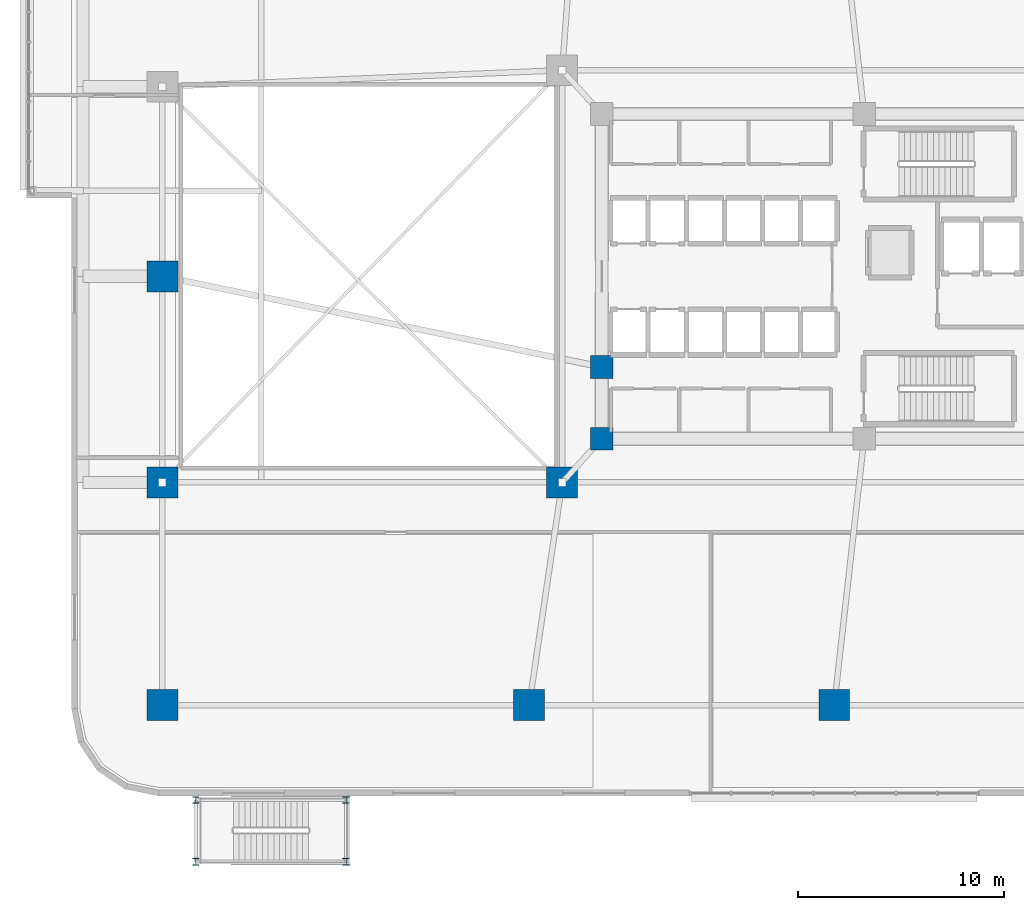
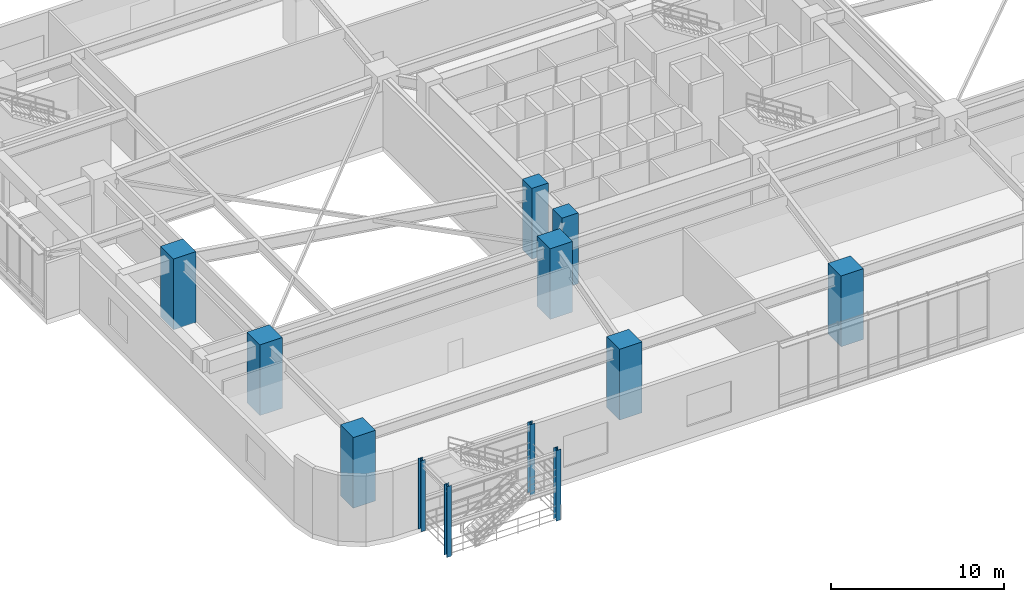
# One storey, part 1 of 24: 12 columns.
"""IFC4 building model written with IfcOpenShell, lengths in metres."""

from ifc_helpers import new_model, si_unit, direction, frame, origin, origin_2d, place, context, subcontext, project, spatial, rectangle, i_section, extrude, material, material_profile, profile_set, type_object, element, save


model = new_model("IFC4")

# Units and contexts
model_context = context("Model", 3, precision=1e-05, world=origin(), true_north=direction((0.0, 1.0)))
body_context = subcontext(model_context, "Body", "Model", "MODEL_VIEW")
ifc_project = project(units=[si_unit("LENGTHUNIT", "METRE"), si_unit("AREAUNIT", "SQUARE_METRE"), si_unit("VOLUMEUNIT", "CUBIC_METRE"), si_unit("PLANEANGLEUNIT", "RADIAN"), si_unit("MASSUNIT", "GRAM", prefix="KILO")], contexts=[model_context])

# Site, building, storey
site_placement = place(None, origin())
site = spatial("IfcSite", under=ifc_project, at=site_placement, CompositionType="ELEMENT")
building_placement = place(site_placement, origin())
building = spatial("IfcBuilding", under=site, at=building_placement, Name="Zulverin Broadcast Headquarters", CompositionType="ELEMENT")
storey_placement = place(building_placement, frame((0.0, 0.0, 5.0)))
storey = spatial("IfcBuildingStorey", under=building, at=storey_placement, Name="L01", CompositionType="ELEMENT", Elevation=5.0)

# Columns
ifc_material_1 = material(Name="Concrete C60/75", Category="concrete")
ifc_material_profile_1 = material_profile(ifc_material_1, rectangle(XDim=1.5, YDim=1.5, at=origin_2d()), Name="Concrete C60/75", Category="concrete")
ifc_profile_set_1 = profile_set([ifc_material_profile_1], Name="Concrete C60/75")
column_type_1 = type_object("IfcColumnType", Name="COL-RC-1500", PredefinedType="COLUMN", material=ifc_profile_set_1)
for number, where, z_axis, x_axis, name in (
    (1, (4.39990234375, 4.39990234375, 0.0), (0.0, 0.0, 1.0), (1.0, 0.0, 0.0), "L01 Podium Mega Column P01"),
    (2, (22.199951171875, 4.39990234375, 0.0), (0.0, 0.0, 1.0), (1.0, 0.0, 0.0), "L01 Podium Mega Column P02"),
    (3, (37.0, 4.39990234375, 0.0), (0.0, 0.0, 1.0), (1.0, 0.0, 0.0), "L01 Podium Mega Column P03"),
    (4, (4.39990234375, 15.199951171875, 0.0), (0.0, 0.0, 1.0), (1.0, 0.0, 0.0), "L01 Podium Mega Column P11"),
    (5, (4.39990234375, 25.199951171875, 0.0), (0.0, 0.0, 1.0), (1.0, 0.0, 0.0), "L01 Podium Mega Column P12"),
    (6, (23.800048828125, 15.199951171875, 0.0), (0.0, 0.0, 1.0), (1.0, 0.0, 0.0), "L01 Podium Mega Column M01"),
):
    element("IfcColumn", number, at=place(storey_placement, frame(where, z_axis=z_axis, x_axis=x_axis)), inside=storey, type_object=column_type_1, Name=name, PredefinedType="COLUMN", context=body_context, shape_type="SweptSolid", body=[
        extrude(rectangle(XDim=1.5, YDim=1.5, at=origin_2d()), origin(), (0.0, 0.0, 1.0), 5.0),
    ])
ifc_material_2 = material(Name="Structural steel S355JR", Category="steel")
ifc_material_profile_2 = material_profile(ifc_material_2, i_section(OverallWidth=0.311279296875, OverallDepth=0.3271484375, WebThickness=0.015869140625, FlangeThickness=0.02490234375, at=origin_2d()), Name="Structural steel S355JR", Category="steel")
ifc_profile_set_2 = profile_set([ifc_material_profile_2], Name="Structural steel S355JR")
column_type_2 = type_object("IfcColumnType", Name="COL-UC-158", PredefinedType="COLUMN", material=ifc_profile_set_2)
for number, where, z_axis, x_axis, name in (
    (7, (6.02001953125, -3.199951171875, 0.0), (0.0, 0.0, 1.0), (1.0, 0.0, 0.0), "L01 Exterior Garden Stair Support Column ST5-P1"),
    (8, (13.320068359375, -3.199951171875, 0.0), (0.0, 0.0, 1.0), (1.0, 0.0, 0.0), "L01 Exterior Garden Stair Support Column ST5-P2"),
    (9, (6.02001953125, -0.199951171875, 0.0), (0.0, 0.0, 1.0), (1.0, 0.0, 0.0), "L01 Exterior Garden Stair Support Column ST5-P3"),
    (10, (13.320068359375, -0.199951171875, 0.0), (0.0, 0.0, 1.0), (1.0, 0.0, 0.0), "L01 Exterior Garden Stair Support Column ST5-P4"),
):
    element("IfcColumn", number, at=place(storey_placement, frame(where, z_axis=z_axis, x_axis=x_axis)), inside=storey, type_object=column_type_2, Name=name, PredefinedType="COLUMN", context=body_context, shape_type="SweptSolid", body=[
        extrude(i_section(OverallWidth=0.311279296875, OverallDepth=0.3271484375, WebThickness=0.015869140625, FlangeThickness=0.02490234375, at=origin_2d()), origin(), (0.0, 0.0, 1.0), 5.0),
    ])
ifc_material_profile_3 = material_profile(ifc_material_1, rectangle(XDim=1.10009765625, YDim=1.10009765625, at=origin_2d()), Name="Concrete C60/75", Category="concrete")
ifc_profile_set_3 = profile_set([ifc_material_profile_3], Name="Concrete C60/75")
column_type_3 = type_object("IfcColumnType", Name="PIL-RC-1100", PredefinedType="PILASTER", material=ifc_profile_set_3)
for number, where, z_axis, x_axis, name in (
    (11, (25.72509765625, 17.324951171875, 0.0), (0.0, 0.0, 1.0), (1.0, 0.0, 0.0), "L01 Core Pilaster K01"),
    (12, (25.72509765625, 20.800048828125, 0.0), (0.0, 0.0, 1.0), (1.0, 0.0, 0.0), "L01 Core Pilaster K08"),
):
    element("IfcColumn", number, at=place(storey_placement, frame(where, z_axis=z_axis, x_axis=x_axis)), inside=storey, type_object=column_type_3, Name=name, PredefinedType="PILASTER", context=body_context, shape_type="SweptSolid", body=[
        extrude(rectangle(XDim=1.10009765625, YDim=1.10009765625, at=origin_2d()), origin(), (0.0, 0.0, 1.0), 5.0),
    ])

save(model, "model.ifc")
